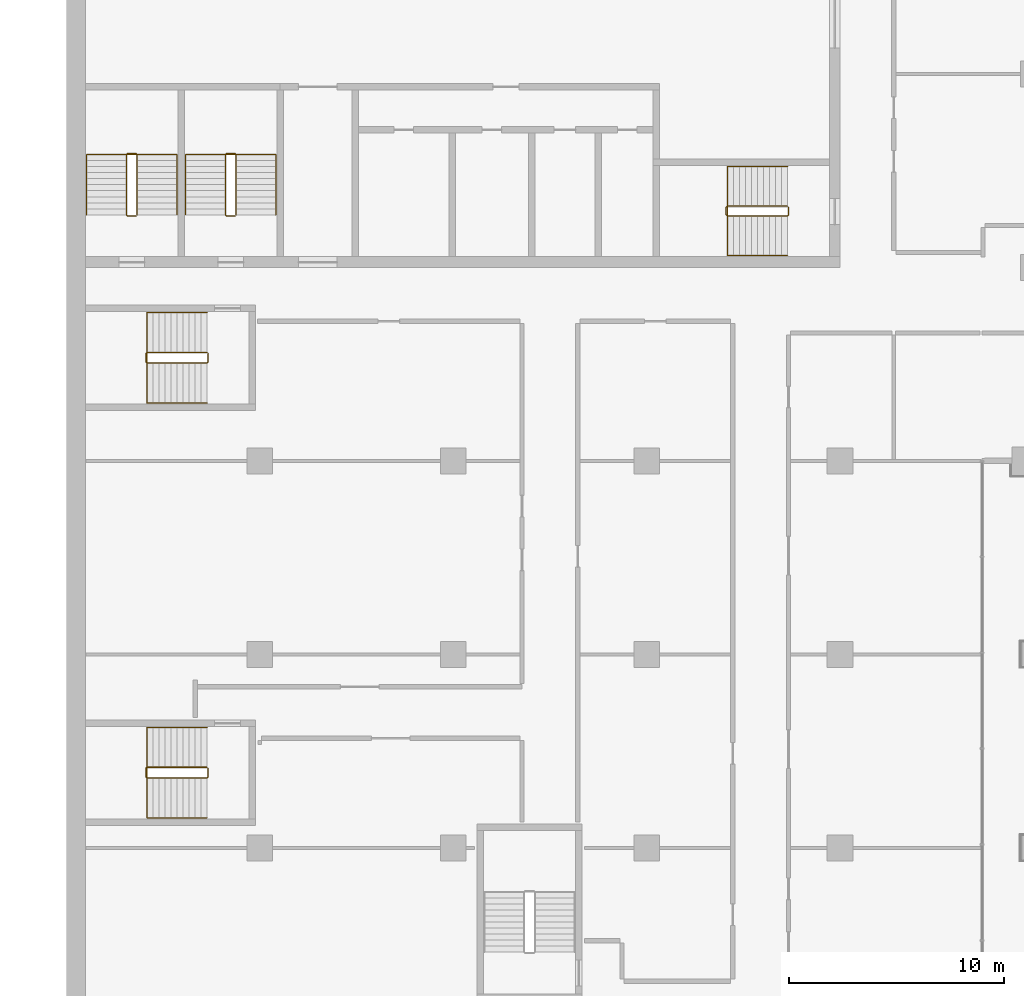
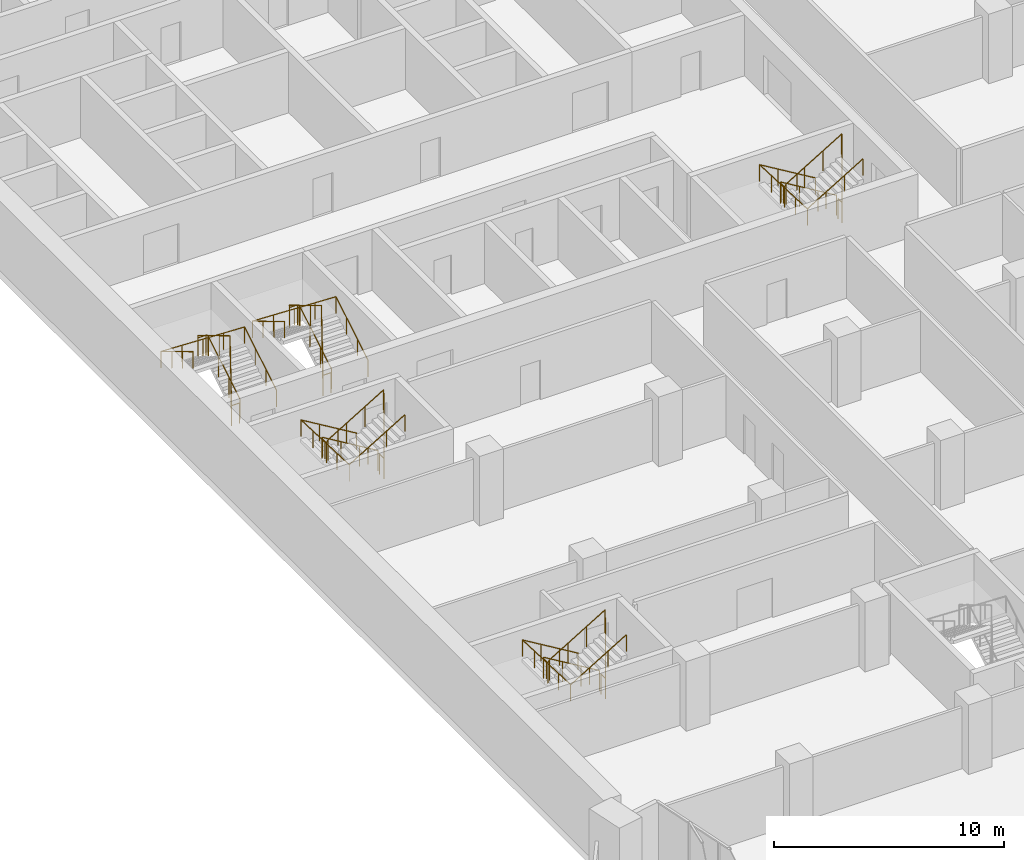
# One storey, part 20 of 22: 10 railings.
"""IFC4 building model written with IfcOpenShell, lengths in metres."""

import ifcopenshell
import ifcopenshell.guid

model = None  # the IFC model being written
_history = None  # IfcOwnerHistory: only IFC2X3 demands one
_inside = {}  # id of a spatial element -> (the spatial element, [elements in it])
_under = {}  # id of a project, library or spatial element -> (it, [spatial elements below it])
_declared = {}  # id of a project -> (the project, [libraries it declares])
_typed = {}  # id of a type object -> (the type object, [elements of that type])
_made_of = {}  # id of a material, layer set ... -> (it, [elements and type objects made of it])


def new_model(schema):
    """Start an empty IFC model of exactly this schema.

    Asked for "IFC4X3", IfcOpenShell would pick the latest addendum, in which some entities
    have other attributes; the version numbers below select the first issue.
    IFC2X3 requires an IfcOwnerHistory on every rooted entity: one is made here for all.
    """
    global model, _history
    if schema == "IFC4X3":
        model = ifcopenshell.file(schema_version=(4, 3, 0, 0))
    else:
        model = ifcopenshell.file(schema=schema)
    _inside.clear()
    _under.clear()
    _declared.clear()
    _typed.clear()
    _made_of.clear()
    _history = None
    if model.schema == "IFC2X3":
        org = make("IfcOrganization", Name="unknown")
        user = make(
            "IfcPersonAndOrganization",
            ThePerson=make("IfcPerson", FamilyName="unknown"),
            TheOrganization=org,
        )
        app = make(
            "IfcApplication",
            ApplicationDeveloper=org,
            Version="unknown",
            ApplicationFullName="unknown",
            ApplicationIdentifier="unknown",
        )
        _history = make(
            "IfcOwnerHistory",
            OwningUser=user,
            OwningApplication=app,
            ChangeAction="ADDED",
            CreationDate=0,
        )
    return model


def make(cls, **values):
    """One entity of the class cls with the attributes given. An attribute that is None is left unset."""
    return model.create_entity(
        cls, **{name: value for name, value in values.items() if value is not None}
    )


def rooted(cls, **values):
    """An entity with a GlobalId (a new one), such as an element, a storey or a relation."""
    return make(cls, GlobalId=ifcopenshell.guid.new(), OwnerHistory=_history, **values)


def si_unit(unit_type, name, prefix=None):
    """IfcSIUnit, for example si_unit("LENGTHUNIT", "METRE", prefix="MILLI")."""
    return make("IfcSIUnit", UnitType=unit_type, Prefix=prefix, Name=name)


def assignment(units):
    """IfcUnitAssignment: the units of a project."""
    return None if units is None else make("IfcUnitAssignment", Units=units)


def point(xyz):
    """IfcCartesianPoint."""
    return None if xyz is None else make("IfcCartesianPoint", Coordinates=xyz)


def direction(xyz):
    """IfcDirection."""
    return None if xyz is None else make("IfcDirection", DirectionRatios=xyz)


def frame(location, z_axis=None, x_axis=None):
    """IfcAxis2Placement3D, a coordinate frame: its origin and axes. An axis left out is left unset."""
    return make(
        "IfcAxis2Placement3D",
        Location=point(location),
        Axis=direction(z_axis),
        RefDirection=direction(x_axis),
    )


def frame_2d(location, x_axis=None):
    """IfcAxis2Placement2D, a coordinate frame in the plane: its origin and x axis."""
    return make(
        "IfcAxis2Placement2D", Location=point(location), RefDirection=direction(x_axis)
    )


def origin():
    """The frame at (0, 0, 0) with its axes left unset."""
    return frame((0.0, 0.0, 0.0))


def origin_2d():
    """The frame at (0, 0) in the plane with its x axis left unset."""
    return frame_2d((0.0, 0.0))


def place(relative_to, where):
    """IfcLocalPlacement: puts the frame where relative to a parent placement (None: the world)."""
    return make(
        "IfcLocalPlacement", PlacementRelTo=relative_to, RelativePlacement=where
    )


def context(
    kind, dimensions, precision=None, world=None, true_north=None, identifier=None
):
    """IfcGeometricRepresentationContext, for example the 3D "Model" context."""
    return make(
        "IfcGeometricRepresentationContext",
        ContextIdentifier=identifier,
        ContextType=kind,
        CoordinateSpaceDimension=dimensions,
        Precision=precision,
        WorldCoordinateSystem=world,
        TrueNorth=true_north,
    )


def subcontext(parent, identifier, kind, view, scale=None):
    """IfcGeometricRepresentationSubContext, for example "Body" below "Model"."""
    return make(
        "IfcGeometricRepresentationSubContext",
        ContextIdentifier=identifier,
        ContextType=kind,
        ParentContext=parent,
        TargetScale=scale,
        TargetView=view,
    )


def project(units=None, contexts=None):
    """IfcProject with its units and contexts."""
    return rooted(
        "IfcProject",
        Name="project",
        RepresentationContexts=contexts,
        UnitsInContext=assignment(units),
    )


def spatial(cls, under=None, at=None, **own):
    """A site, building, storey or space (cls), placed at a placement, below another one or the project."""
    s = rooted(cls, ObjectPlacement=at, **own)
    if under is not None:
        _under.setdefault(under.id(), (under, []))[1].append(s)
    return s


def profile(cls, at=None, kind="AREA", **sizes):
    """A parametric profile (cls). Its sizes go by their IFC names, for example OverallWidth=200.0."""
    return make(cls, ProfileType=kind, Position=at, **sizes)


def circle(**sizes):
    """IfcCircleProfileDef."""
    return profile("IfcCircleProfileDef", **sizes)


def extrude(swept, where, along, depth):
    """IfcExtrudedAreaSolid: the profile swept, set in the frame where, extruded along a direction by depth."""
    return make(
        "IfcExtrudedAreaSolid",
        SweptArea=swept,
        Position=where,
        ExtrudedDirection=direction(along),
        Depth=depth,
    )


def shape(context_of_items, identifier, shape_type, items):
    """IfcShapeRepresentation: the items that make up one representation, for example the "Body"."""
    return make(
        "IfcShapeRepresentation",
        ContextOfItems=context_of_items,
        RepresentationIdentifier=identifier,
        RepresentationType=shape_type,
        Items=items,
    )


def material(Name=None, Category=None):
    """IfcMaterial."""
    return make("IfcMaterial", Name=Name, Category=Category)


def made_of(thing, what):
    """Note that an element or type object is made of a material, layer set ...; save() writes the relation."""
    if what is not None:
        _made_of.setdefault(what.id(), (what, []))[1].append(thing)
    return thing


def type_object(cls, material=None, **own):
    """A type object (cls), such as IfcWallType, which elements share."""
    return made_of(rooted(cls, **own), material)


def element(
    cls,
    number,
    at=None,
    inside=None,
    cuts=None,
    type_object=None,
    material=None,
    context=None,
    identifier="Body",
    shape_type=None,
    held_by="IfcProductDefinitionShape",
    body=None,
    shapes=None,
    **own,
):
    """One element of the class cls, such as IfcWall. Its Tag is "e" and its number.

    at: its placement. inside: the storey or other place that contains it. cuts: it is an
    opening in that element (IfcRelVoidsElement). A single representation is given by context,
    identifier, shape_type and body (its items); several are given by shapes. held_by: the class
    of the entity that holds the representations. save() writes the other relations.
    """
    e = rooted(cls, Tag="e%d" % number, ObjectPlacement=at, **own)
    if body is not None:
        shapes = [shape(context, identifier, shape_type, body)]
    if shapes is not None:
        e.Representation = make(held_by, Representations=shapes)
    if inside is not None:
        _inside.setdefault(inside.id(), (inside, []))[1].append(e)
    if cuts is not None:
        rooted(
            "IfcRelVoidsElement", RelatingBuildingElement=cuts, RelatedOpeningElement=e
        )
    if type_object is not None:
        _typed.setdefault(type_object.id(), (type_object, []))[1].append(e)
    return made_of(e, material)


def aggregate(whole, parts):
    """IfcRelAggregates: a whole, such as a stair, and the parts it consists of."""
    return rooted("IfcRelAggregates", RelatingObject=whole, RelatedObjects=parts)


def save(model, path):
    """Write the relations noted so far, then the file.

    IfcRelAggregates (storeys below a building ...), IfcRelContainedInSpatialStructure (elements
    in a storey), IfcRelDefinesByType, IfcRelAssociatesMaterial and IfcRelDeclares: one each for
    every whole, place, type object, material and project.
    """
    for whole, parts in _under.values():
        aggregate(whole, parts)
    for where, things in _inside.values():
        rooted(
            "IfcRelContainedInSpatialStructure",
            RelatedElements=things,
            RelatingStructure=where,
        )
    for kind, things in _typed.values():
        rooted("IfcRelDefinesByType", RelatedObjects=things, RelatingType=kind)
    for what, things in _made_of.values():
        rooted("IfcRelAssociatesMaterial", RelatedObjects=things, RelatingMaterial=what)
    for by, libraries in _declared.values():
        rooted("IfcRelDeclares", RelatingContext=by, RelatedDefinitions=libraries)
    model.write(path)


model = new_model("IFC4")

# Units and contexts
model_context = context("Model", 3, precision=1e-05, world=origin(), true_north=direction((0.0, 1.0)))
body_context = subcontext(model_context, "Body", "Model", "MODEL_VIEW")
ifc_project = project(units=[si_unit("LENGTHUNIT", "METRE"), si_unit("AREAUNIT", "SQUARE_METRE"), si_unit("VOLUMEUNIT", "CUBIC_METRE"), si_unit("PLANEANGLEUNIT", "RADIAN"), si_unit("MASSUNIT", "GRAM", prefix="KILO")], contexts=[model_context])

# Site, building, storey
site_placement = place(None, origin())
site = spatial("IfcSite", under=ifc_project, at=site_placement, CompositionType="ELEMENT")
building_placement = place(site_placement, origin())
building = spatial("IfcBuilding", under=site, at=building_placement, Name="Hunhe Ridgeline Campus", CompositionType="ELEMENT")
storey_placement = place(building_placement, frame((0.0, 0.0, 174.5)))
storey = spatial("IfcBuildingStorey", under=building, at=storey_placement, Name="L44", CompositionType="ELEMENT", Elevation=174.5)

# Railings
ifc_material_1 = material(Name="Stainless steel balustrade", Category="steel")
railing_type_1 = type_object("IfcRailingType", Name="Stair guard 1100 stainless", PredefinedType="GUARDRAIL", material=ifc_material_1)
railing_1_placement = place(storey_placement, frame((33.550048828125, 65.85009765625, 0.168212890625)))
element("IfcRailing", 1, at=railing_1_placement, inside=storey, type_object=railing_type_1, Name="L44 stair S2 guard", PredefinedType="GUARDRAIL", context=body_context, shape_type="SweptSolid", body=[
    extrude(circle(Radius=0.02392578125, at=origin_2d()), frame((0.0, 0.0, 1.076171875), z_axis=(-0.857242210791, 0.0, 0.514913383045), x_axis=(0.0, -1.0, 0.0)), (0.0, 0.0, 1.0), 3.266357421875),
    extrude(circle(Radius=0.02392578125, at=origin_2d()), frame((-2.800048828125, 0.0, 2.7578125), z_axis=(-0.707106781187, -0.707106781187, 0.0), x_axis=(0.707106781187, -0.707106781187, 0.0)), (0.0, 0.0, 1.0), 0.07080078125),
    extrude(circle(Radius=0.02392578125, at=origin_2d()), frame((-2.85009765625, -0.050048828125, 2.7578125), z_axis=(0.0, -1.0, 0.0), x_axis=(1.0, 0.0, 0.0)), (0.0, 0.0, 1.0), 0.35009765625),
    extrude(circle(Radius=0.02392578125, at=origin_2d()), frame((-2.85009765625, -0.400146484375, 2.7578125), z_axis=(0.274582412415, -0.274582412415, 0.921525364591), x_axis=(0.707106781187, 0.707106781187, 0.0)), (0.0, 0.0, 1.0), 0.182373046875),
    extrude(circle(Radius=0.02392578125, at=origin_2d()), frame((-2.800048828125, -0.4501953125, 2.92578125), z_axis=(0.857242210791, 0.0, 0.514913383045), x_axis=(0.0, 1.0, 0.0)), (0.0, 0.0, 1.0), 3.266357421875),
    extrude(circle(Radius=0.02392578125, at=origin_2d()), frame((0.0, -0.4501953125, 4.60791015625), z_axis=(0.013524414389, 0.013524414389, -0.999817073484), x_axis=(-0.707106781187, 0.707106781187, 0.0)), (0.0, 0.0, 1.0), 3.70068359375),
    extrude(circle(Radius=0.02392578125, at=origin_2d()), frame((0.050048828125, -0.400146484375, 0.90771484375), z_axis=(0.0, 1.0, 0.0), x_axis=(-1.0, 0.0, 0.0)), (0.0, 0.0, 1.0), 0.35009765625),
    extrude(circle(Radius=0.02099609375, at=origin_2d()), origin(), (0.0, 0.0, 1.0), 1.052001953125),
    extrude(circle(Radius=0.02099609375, at=origin_2d()), frame((-0.933349609375, 0.0, 0.560546875)), (0.0, 0.0, 1.0), 1.052001953125),
    extrude(circle(Radius=0.02099609375, at=origin_2d()), frame((-1.86669921875, 0.0, 1.121337890625)), (0.0, 0.0, 1.0), 1.052001953125),
    extrude(circle(Radius=0.02099609375, at=origin_2d()), frame((-2.800048828125, 0.0, 1.681884765625)), (0.0, 0.0, 1.0), 1.052001953125),
    extrude(circle(Radius=0.02099609375, at=origin_2d()), frame((-2.85009765625, -0.050048828125, 1.681884765625)), (0.0, 0.0, 1.0), 1.052001953125),
    extrude(circle(Radius=0.02099609375, at=origin_2d()), frame((-2.85009765625, -0.400146484375, 1.681884765625)), (0.0, 0.0, 1.0), 1.052001953125),
    extrude(circle(Radius=0.02099609375, at=origin_2d()), frame((-2.800048828125, -0.4501953125, 1.849853515625)), (0.0, 0.0, 1.0), 1.052001953125),
    extrude(circle(Radius=0.02099609375, at=origin_2d()), frame((-1.86669921875, -0.4501953125, 2.410400390625)), (0.0, 0.0, 1.0), 1.052001953125),
    extrude(circle(Radius=0.02099609375, at=origin_2d()), frame((-0.933349609375, -0.4501953125, 2.97119140625)), (0.0, 0.0, 1.0), 1.052001953125),
    extrude(circle(Radius=0.02099609375, at=origin_2d()), frame((0.0, -0.4501953125, 3.53173828125)), (0.0, 0.0, 1.0), 1.052001953125),
    extrude(circle(Radius=0.02099609375, at=origin_2d()), frame((0.012451171875, -0.437744140625, 2.606689453125)), (0.0, 0.0, 1.0), 1.052001953125),
    extrude(circle(Radius=0.02099609375, at=origin_2d()), frame((0.02490234375, -0.42529296875, 1.681640625)), (0.0, 0.0, 1.0), 1.052001953125),
    extrude(circle(Radius=0.02099609375, at=origin_2d()), frame((0.03759765625, -0.41259765625, 0.7568359375)), (0.0, 0.0, 1.0), 1.052001953125),
    extrude(circle(Radius=0.02099609375, at=origin_2d()), frame((0.050048828125, -0.400146484375, -0.168212890625)), (0.0, 0.0, 1.0), 1.052001953125),
    extrude(circle(Radius=0.02099609375, at=origin_2d()), frame((0.050048828125, -0.050048828125, -0.168212890625)), (0.0, 0.0, 1.0), 1.052001953125),
])
railing_2_placement = place(storey_placement, frame((3.300048828125, 65.449951171875, 0.168212890625)))
element("IfcRailing", 2, at=railing_2_placement, inside=storey, type_object=railing_type_1, Name="L44 stair S3 guard", PredefinedType="GUARDRAIL", context=body_context, shape_type="SweptSolid", body=[
    extrude(circle(Radius=0.02392578125, at=origin_2d()), frame((0.0, 0.0, 1.076171875), z_axis=(0.0, 0.857242210791, 0.514913383045), x_axis=(-1.0, 0.0, 0.0)), (0.0, 0.0, 1.0), 3.266357421875),
    extrude(circle(Radius=0.02392578125, at=origin_2d()), frame((0.0, 2.800048828125, 2.7578125), z_axis=(-0.707106781187, 0.707106781187, 0.0), x_axis=(-0.707106781187, -0.707106781187, 0.0)), (0.0, 0.0, 1.0), 0.07080078125),
    extrude(circle(Radius=0.02392578125, at=origin_2d()), frame((-0.050048828125, 2.85009765625, 2.7578125), z_axis=(-1.0, 0.0, 0.0), x_axis=(0.0, -1.0, 0.0)), (0.0, 0.0, 1.0), 0.39990234375),
    extrude(circle(Radius=0.02392578125, at=origin_2d()), frame((-0.449951171875, 2.85009765625, 2.7578125), z_axis=(-0.274582412415, -0.274582412415, 0.921525364591), x_axis=(0.707106781187, -0.707106781187, 0.0)), (0.0, 0.0, 1.0), 0.182373046875),
    extrude(circle(Radius=0.02392578125, at=origin_2d()), frame((-0.5, 2.800048828125, 2.92578125), z_axis=(0.0, -0.857242210791, 0.514913383045), x_axis=(1.0, 0.0, 0.0)), (0.0, 0.0, 1.0), 3.266357421875),
    extrude(circle(Radius=0.02392578125, at=origin_2d()), frame((-0.5, 0.0, 4.60791015625), z_axis=(0.013524414389, -0.013524414389, -0.999817073484), x_axis=(0.707106781187, 0.707106781187, 0.0)), (0.0, 0.0, 1.0), 3.70068359375),
    extrude(circle(Radius=0.02392578125, at=origin_2d()), frame((-0.449951171875, -0.050048828125, 0.90771484375), z_axis=(1.0, 0.0, 0.0), x_axis=(0.0, 1.0, 0.0)), (0.0, 0.0, 1.0), 0.39990234375),
    extrude(circle(Radius=0.02099609375, at=origin_2d()), origin(), (0.0, 0.0, 1.0), 1.052001953125),
    extrude(circle(Radius=0.02099609375, at=origin_2d()), frame((0.0, 0.933349609375, 0.560546875)), (0.0, 0.0, 1.0), 1.052001953125),
    extrude(circle(Radius=0.02099609375, at=origin_2d()), frame((0.0, 1.86669921875, 1.121337890625)), (0.0, 0.0, 1.0), 1.052001953125),
    extrude(circle(Radius=0.02099609375, at=origin_2d()), frame((0.0, 2.800048828125, 1.681884765625)), (0.0, 0.0, 1.0), 1.052001953125),
    extrude(circle(Radius=0.02099609375, at=origin_2d()), frame((-0.050048828125, 2.85009765625, 1.681884765625)), (0.0, 0.0, 1.0), 1.052001953125),
    extrude(circle(Radius=0.02099609375, at=origin_2d()), frame((-0.449951171875, 2.85009765625, 1.681884765625)), (0.0, 0.0, 1.0), 1.052001953125),
    extrude(circle(Radius=0.02099609375, at=origin_2d()), frame((-0.5, 2.800048828125, 1.849853515625)), (0.0, 0.0, 1.0), 1.052001953125),
    extrude(circle(Radius=0.02099609375, at=origin_2d()), frame((-0.5, 1.86669921875, 2.410400390625)), (0.0, 0.0, 1.0), 1.052001953125),
    extrude(circle(Radius=0.02099609375, at=origin_2d()), frame((-0.5, 0.933349609375, 2.97119140625)), (0.0, 0.0, 1.0), 1.052001953125),
    extrude(circle(Radius=0.02099609375, at=origin_2d()), frame((-0.5, 0.0, 3.53173828125)), (0.0, 0.0, 1.0), 1.052001953125),
    extrude(circle(Radius=0.02099609375, at=origin_2d()), frame((-0.487548828125, -0.012451171875, 2.606689453125)), (0.0, 0.0, 1.0), 1.052001953125),
    extrude(circle(Radius=0.02099609375, at=origin_2d()), frame((-0.47509765625, -0.02490234375, 1.681640625)), (0.0, 0.0, 1.0), 1.052001953125),
    extrude(circle(Radius=0.02099609375, at=origin_2d()), frame((-0.46240234375, -0.03759765625, 0.7568359375)), (0.0, 0.0, 1.0), 1.052001953125),
    extrude(circle(Radius=0.02099609375, at=origin_2d()), frame((-0.449951171875, -0.050048828125, -0.168212890625)), (0.0, 0.0, 1.0), 1.052001953125),
    extrude(circle(Radius=0.02099609375, at=origin_2d()), frame((-0.050048828125, -0.050048828125, -0.168212890625)), (0.0, 0.0, 1.0), 1.052001953125),
])
railing_3_placement = place(storey_placement, frame((7.89990234375, 65.449951171875, 0.168212890625)))
element("IfcRailing", 3, at=railing_3_placement, inside=storey, type_object=railing_type_1, Name="L44 stair S4 guard", PredefinedType="GUARDRAIL", context=body_context, shape_type="SweptSolid", body=[
    extrude(circle(Radius=0.02392578125, at=origin_2d()), frame((0.0, 0.0, 1.076171875), z_axis=(0.0, 0.857242210791, 0.514913383045), x_axis=(-1.0, 0.0, 0.0)), (0.0, 0.0, 1.0), 3.266357421875),
    extrude(circle(Radius=0.02392578125, at=origin_2d()), frame((0.0, 2.800048828125, 2.7578125), z_axis=(-0.705375805398, 0.708833529934, 0.0), x_axis=(-0.708833529934, -0.705375805398, 0.0)), (0.0, 0.0, 1.0), 0.070556640625),
    extrude(circle(Radius=0.02392578125, at=origin_2d()), frame((-0.0498046875, 2.85009765625, 2.7578125), z_axis=(-1.0, 0.0, 0.0), x_axis=(0.0, -1.0, 0.0)), (0.0, 0.0, 1.0), 0.400146484375),
    extrude(circle(Radius=0.02392578125, at=origin_2d()), frame((-0.449951171875, 2.85009765625, 2.7578125), z_axis=(-0.274582412415, -0.274582412415, 0.921525364591), x_axis=(0.707106781187, -0.707106781187, 0.0)), (0.0, 0.0, 1.0), 0.182373046875),
    extrude(circle(Radius=0.02392578125, at=origin_2d()), frame((-0.5, 2.800048828125, 2.92578125), z_axis=(0.0, -0.857242210791, 0.514913383045), x_axis=(1.0, 0.0, 0.0)), (0.0, 0.0, 1.0), 3.266357421875),
    extrude(circle(Radius=0.02392578125, at=origin_2d()), frame((-0.5, 0.0, 4.60791015625), z_axis=(0.013524414389, -0.013524414389, -0.999817073484), x_axis=(0.707106781187, 0.707106781187, 0.0)), (0.0, 0.0, 1.0), 3.70068359375),
    extrude(circle(Radius=0.02392578125, at=origin_2d()), frame((-0.449951171875, -0.050048828125, 0.90771484375), z_axis=(1.0, 0.0, 0.0), x_axis=(0.0, 1.0, 0.0)), (0.0, 0.0, 1.0), 0.400146484375),
    extrude(circle(Radius=0.02099609375, at=origin_2d()), origin(), (0.0, 0.0, 1.0), 1.052001953125),
    extrude(circle(Radius=0.02099609375, at=origin_2d()), frame((0.0, 0.933349609375, 0.560546875)), (0.0, 0.0, 1.0), 1.052001953125),
    extrude(circle(Radius=0.02099609375, at=origin_2d()), frame((0.0, 1.86669921875, 1.121337890625)), (0.0, 0.0, 1.0), 1.052001953125),
    extrude(circle(Radius=0.02099609375, at=origin_2d()), frame((0.0, 2.800048828125, 1.681884765625)), (0.0, 0.0, 1.0), 1.052001953125),
    extrude(circle(Radius=0.02099609375, at=origin_2d()), frame((-0.0498046875, 2.85009765625, 1.681884765625)), (0.0, 0.0, 1.0), 1.052001953125),
    extrude(circle(Radius=0.02099609375, at=origin_2d()), frame((-0.449951171875, 2.85009765625, 1.681884765625)), (0.0, 0.0, 1.0), 1.052001953125),
    extrude(circle(Radius=0.02099609375, at=origin_2d()), frame((-0.5, 2.800048828125, 1.849853515625)), (0.0, 0.0, 1.0), 1.052001953125),
    extrude(circle(Radius=0.02099609375, at=origin_2d()), frame((-0.5, 1.86669921875, 2.410400390625)), (0.0, 0.0, 1.0), 1.052001953125),
    extrude(circle(Radius=0.02099609375, at=origin_2d()), frame((-0.5, 0.933349609375, 2.97119140625)), (0.0, 0.0, 1.0), 1.052001953125),
    extrude(circle(Radius=0.02099609375, at=origin_2d()), frame((-0.5, 0.0, 3.53173828125)), (0.0, 0.0, 1.0), 1.052001953125),
    extrude(circle(Radius=0.02099609375, at=origin_2d()), frame((-0.487548828125, -0.012451171875, 2.606689453125)), (0.0, 0.0, 1.0), 1.052001953125),
    extrude(circle(Radius=0.02099609375, at=origin_2d()), frame((-0.47509765625, -0.02490234375, 1.681640625)), (0.0, 0.0, 1.0), 1.052001953125),
    extrude(circle(Radius=0.02099609375, at=origin_2d()), frame((-0.46240234375, -0.03759765625, 0.7568359375)), (0.0, 0.0, 1.0), 1.052001953125),
    extrude(circle(Radius=0.02099609375, at=origin_2d()), frame((-0.449951171875, -0.050048828125, -0.168212890625)), (0.0, 0.0, 1.0), 1.052001953125),
    extrude(circle(Radius=0.02099609375, at=origin_2d()), frame((-0.0498046875, -0.050048828125, -0.168212890625)), (0.0, 0.0, 1.0), 1.052001953125),
])
railing_4_placement = place(storey_placement, frame((6.550048828125, 39.75, 0.168212890625)))
element("IfcRailing", 4, at=railing_4_placement, inside=storey, type_object=railing_type_1, Name="L44 stair W1 guard", PredefinedType="GUARDRAIL", context=body_context, shape_type="SweptSolid", body=[
    extrude(circle(Radius=0.02392578125, at=origin_2d()), frame((0.0, 0.0, 1.076171875), z_axis=(-0.857242210791, 0.0, 0.514913383045), x_axis=(0.0, -1.0, 0.0)), (0.0, 0.0, 1.0), 3.266357421875),
    extrude(circle(Radius=0.02392578125, at=origin_2d()), frame((-2.800048828125, 0.0, 2.7578125), z_axis=(-0.707106781187, -0.707106781187, 0.0), x_axis=(0.707106781187, -0.707106781187, 0.0)), (0.0, 0.0, 1.0), 0.07080078125),
    extrude(circle(Radius=0.02392578125, at=origin_2d()), frame((-2.85009765625, -0.050048828125, 2.7578125), z_axis=(0.0, -1.0, 0.0), x_axis=(1.0, 0.0, 0.0)), (0.0, 0.0, 1.0), 0.39990234375),
    extrude(circle(Radius=0.02392578125, at=origin_2d()), frame((-2.85009765625, -0.449951171875, 2.7578125), z_axis=(0.274582412415, -0.274582412415, 0.921525364591), x_axis=(0.707106781187, 0.707106781187, 0.0)), (0.0, 0.0, 1.0), 0.182373046875),
    extrude(circle(Radius=0.02392578125, at=origin_2d()), frame((-2.800048828125, -0.5, 2.92578125), z_axis=(0.857242210791, 0.0, 0.514913383045), x_axis=(0.0, 1.0, 0.0)), (0.0, 0.0, 1.0), 3.266357421875),
    extrude(circle(Radius=0.02392578125, at=origin_2d()), frame((0.0, -0.5, 4.60791015625), z_axis=(0.013524414389, 0.013524414389, -0.999817073484), x_axis=(-0.707106781187, 0.707106781187, 0.0)), (0.0, 0.0, 1.0), 3.70068359375),
    extrude(circle(Radius=0.02392578125, at=origin_2d()), frame((0.050048828125, -0.449951171875, 0.90771484375), z_axis=(0.0, 1.0, 0.0), x_axis=(-1.0, 0.0, 0.0)), (0.0, 0.0, 1.0), 0.39990234375),
    extrude(circle(Radius=0.02099609375, at=origin_2d()), origin(), (0.0, 0.0, 1.0), 1.052001953125),
    extrude(circle(Radius=0.02099609375, at=origin_2d()), frame((-0.933349609375, 0.0, 0.560546875)), (0.0, 0.0, 1.0), 1.052001953125),
    extrude(circle(Radius=0.02099609375, at=origin_2d()), frame((-1.86669921875, 0.0, 1.121337890625)), (0.0, 0.0, 1.0), 1.052001953125),
    extrude(circle(Radius=0.02099609375, at=origin_2d()), frame((-2.800048828125, 0.0, 1.681884765625)), (0.0, 0.0, 1.0), 1.052001953125),
    extrude(circle(Radius=0.02099609375, at=origin_2d()), frame((-2.85009765625, -0.050048828125, 1.681884765625)), (0.0, 0.0, 1.0), 1.052001953125),
    extrude(circle(Radius=0.02099609375, at=origin_2d()), frame((-2.85009765625, -0.449951171875, 1.681884765625)), (0.0, 0.0, 1.0), 1.052001953125),
    extrude(circle(Radius=0.02099609375, at=origin_2d()), frame((-2.800048828125, -0.5, 1.849853515625)), (0.0, 0.0, 1.0), 1.052001953125),
    extrude(circle(Radius=0.02099609375, at=origin_2d()), frame((-1.86669921875, -0.5, 2.410400390625)), (0.0, 0.0, 1.0), 1.052001953125),
    extrude(circle(Radius=0.02099609375, at=origin_2d()), frame((-0.933349609375, -0.5, 2.97119140625)), (0.0, 0.0, 1.0), 1.052001953125),
    extrude(circle(Radius=0.02099609375, at=origin_2d()), frame((0.0, -0.5, 3.53173828125)), (0.0, 0.0, 1.0), 1.052001953125),
    extrude(circle(Radius=0.02099609375, at=origin_2d()), frame((0.012451171875, -0.487548828125, 2.606689453125)), (0.0, 0.0, 1.0), 1.052001953125),
    extrude(circle(Radius=0.02099609375, at=origin_2d()), frame((0.02490234375, -0.47509765625, 1.681640625)), (0.0, 0.0, 1.0), 1.052001953125),
    extrude(circle(Radius=0.02099609375, at=origin_2d()), frame((0.03759765625, -0.46240234375, 0.7568359375)), (0.0, 0.0, 1.0), 1.052001953125),
    extrude(circle(Radius=0.02099609375, at=origin_2d()), frame((0.050048828125, -0.449951171875, -0.168212890625)), (0.0, 0.0, 1.0), 1.052001953125),
    extrude(circle(Radius=0.02099609375, at=origin_2d()), frame((0.050048828125, -0.050048828125, -0.168212890625)), (0.0, 0.0, 1.0), 1.052001953125),
])
railing_5_placement = place(storey_placement, frame((6.550048828125, 59.050048828125, 0.168212890625)))
element("IfcRailing", 5, at=railing_5_placement, inside=storey, type_object=railing_type_1, Name="L44 stair W2 guard", PredefinedType="GUARDRAIL", context=body_context, shape_type="SweptSolid", body=[
    extrude(circle(Radius=0.02392578125, at=origin_2d()), frame((0.0, 0.0, 1.076171875), z_axis=(-0.857242210791, 0.0, 0.514913383045), x_axis=(0.0, -1.0, 0.0)), (0.0, 0.0, 1.0), 3.266357421875),
    extrude(circle(Radius=0.02392578125, at=origin_2d()), frame((-2.800048828125, 0.0, 2.7578125), z_axis=(-0.707106781187, -0.707106781187, 0.0), x_axis=(0.707106781187, -0.707106781187, 0.0)), (0.0, 0.0, 1.0), 0.07080078125),
    extrude(circle(Radius=0.02392578125, at=origin_2d()), frame((-2.85009765625, -0.050048828125, 2.7578125), z_axis=(0.0, -1.0, 0.0), x_axis=(1.0, 0.0, 0.0)), (0.0, 0.0, 1.0), 0.39990234375),
    extrude(circle(Radius=0.02392578125, at=origin_2d()), frame((-2.85009765625, -0.449951171875, 2.7578125), z_axis=(0.274582412415, -0.274582412415, 0.921525364591), x_axis=(0.707106781187, 0.707106781187, 0.0)), (0.0, 0.0, 1.0), 0.182373046875),
    extrude(circle(Radius=0.02392578125, at=origin_2d()), frame((-2.800048828125, -0.5, 2.92578125), z_axis=(0.857242210791, 0.0, 0.514913383045), x_axis=(0.0, 1.0, 0.0)), (0.0, 0.0, 1.0), 3.266357421875),
    extrude(circle(Radius=0.02392578125, at=origin_2d()), frame((0.0, -0.5, 4.60791015625), z_axis=(0.013524414389, 0.013524414389, -0.999817073484), x_axis=(-0.707106781187, 0.707106781187, 0.0)), (0.0, 0.0, 1.0), 3.70068359375),
    extrude(circle(Radius=0.02392578125, at=origin_2d()), frame((0.050048828125, -0.449951171875, 0.90771484375), z_axis=(0.0, 1.0, 0.0), x_axis=(-1.0, 0.0, 0.0)), (0.0, 0.0, 1.0), 0.39990234375),
    extrude(circle(Radius=0.02099609375, at=origin_2d()), origin(), (0.0, 0.0, 1.0), 1.052001953125),
    extrude(circle(Radius=0.02099609375, at=origin_2d()), frame((-0.933349609375, 0.0, 0.560546875)), (0.0, 0.0, 1.0), 1.052001953125),
    extrude(circle(Radius=0.02099609375, at=origin_2d()), frame((-1.86669921875, 0.0, 1.121337890625)), (0.0, 0.0, 1.0), 1.052001953125),
    extrude(circle(Radius=0.02099609375, at=origin_2d()), frame((-2.800048828125, 0.0, 1.681884765625)), (0.0, 0.0, 1.0), 1.052001953125),
    extrude(circle(Radius=0.02099609375, at=origin_2d()), frame((-2.85009765625, -0.050048828125, 1.681884765625)), (0.0, 0.0, 1.0), 1.052001953125),
    extrude(circle(Radius=0.02099609375, at=origin_2d()), frame((-2.85009765625, -0.449951171875, 1.681884765625)), (0.0, 0.0, 1.0), 1.052001953125),
    extrude(circle(Radius=0.02099609375, at=origin_2d()), frame((-2.800048828125, -0.5, 1.849853515625)), (0.0, 0.0, 1.0), 1.052001953125),
    extrude(circle(Radius=0.02099609375, at=origin_2d()), frame((-1.86669921875, -0.5, 2.410400390625)), (0.0, 0.0, 1.0), 1.052001953125),
    extrude(circle(Radius=0.02099609375, at=origin_2d()), frame((-0.933349609375, -0.5, 2.97119140625)), (0.0, 0.0, 1.0), 1.052001953125),
    extrude(circle(Radius=0.02099609375, at=origin_2d()), frame((0.0, -0.5, 3.53173828125)), (0.0, 0.0, 1.0), 1.052001953125),
    extrude(circle(Radius=0.02099609375, at=origin_2d()), frame((0.012451171875, -0.487548828125, 2.606689453125)), (0.0, 0.0, 1.0), 1.052001953125),
    extrude(circle(Radius=0.02099609375, at=origin_2d()), frame((0.02490234375, -0.47509765625, 1.681640625)), (0.0, 0.0, 1.0), 1.052001953125),
    extrude(circle(Radius=0.02099609375, at=origin_2d()), frame((0.03759765625, -0.46240234375, 0.7568359375)), (0.0, 0.0, 1.0), 1.052001953125),
    extrude(circle(Radius=0.02099609375, at=origin_2d()), frame((0.050048828125, -0.449951171875, -0.168212890625)), (0.0, 0.0, 1.0), 1.052001953125),
    extrude(circle(Radius=0.02099609375, at=origin_2d()), frame((0.050048828125, -0.050048828125, -0.168212890625)), (0.0, 0.0, 1.0), 1.052001953125),
])
ifc_material_2 = material(Name="Stainless steel handrail", Category="steel")
railing_type_2 = type_object("IfcRailingType", Name="Stair handrail 900 stainless", PredefinedType="HANDRAIL", material=ifc_material_2)
railing_6_placement = place(storey_placement, frame((33.550048828125, 67.699951171875, 0.168212890625)))
element("IfcRailing", 6, at=railing_6_placement, inside=storey, type_object=railing_type_2, Name="L44 stair S2 handrail", PredefinedType="HANDRAIL", context=body_context, shape_type="SweptSolid", body=[
    extrude(circle(Radius=0.02392578125, at=origin_2d()), frame((0.0, 0.0, 0.8759765625), z_axis=(-0.857242210791, 0.0, 0.514913383045), x_axis=(0.0, -1.0, 0.0)), (0.0, 0.0, 1.0), 3.266357421875),
    extrude(circle(Radius=0.02392578125, at=origin_2d()), frame((-2.800048828125, 0.0, 2.5576171875), z_axis=(0.0, -0.999181878101, 0.040442236271), x_axis=(1.0, 0.0, 0.0)), (0.0, 0.0, 1.0), 4.1533203125),
    extrude(circle(Radius=0.02392578125, at=origin_2d()), frame((-2.800048828125, -4.14990234375, 2.7255859375), z_axis=(0.857242210791, 0.0, 0.514913383045), x_axis=(0.0, 1.0, 0.0)), (0.0, 0.0, 1.0), 3.266357421875),
    extrude(circle(Radius=0.02099609375, at=origin_2d()), origin(), (0.0, 0.0, 1.0), 0.851806640625),
    extrude(circle(Radius=0.02099609375, at=origin_2d()), frame((-0.933349609375, 0.0, 0.560546875)), (0.0, 0.0, 1.0), 0.851806640625),
    extrude(circle(Radius=0.02099609375, at=origin_2d()), frame((-1.86669921875, 0.0, 1.121337890625)), (0.0, 0.0, 1.0), 0.851806640625),
    extrude(circle(Radius=0.02099609375, at=origin_2d()), frame((-2.800048828125, 0.0, 1.681884765625)), (0.0, 0.0, 1.0), 0.851806640625),
    extrude(circle(Radius=0.02099609375, at=origin_2d()), frame((-2.800048828125, -1.03759765625, 1.723876953125)), (0.0, 0.0, 1.0), 0.851806640625),
    extrude(circle(Radius=0.02099609375, at=origin_2d()), frame((-2.800048828125, -2.074951171875, 1.765869140625)), (0.0, 0.0, 1.0), 0.851806640625),
    extrude(circle(Radius=0.02099609375, at=origin_2d()), frame((-2.800048828125, -3.1123046875, 1.807861328125)), (0.0, 0.0, 1.0), 0.851806640625),
    extrude(circle(Radius=0.02099609375, at=origin_2d()), frame((-2.800048828125, -4.14990234375, 1.849853515625)), (0.0, 0.0, 1.0), 0.851806640625),
    extrude(circle(Radius=0.02099609375, at=origin_2d()), frame((-1.86669921875, -4.14990234375, 2.410400390625)), (0.0, 0.0, 1.0), 0.851806640625),
    extrude(circle(Radius=0.02099609375, at=origin_2d()), frame((-0.933349609375, -4.14990234375, 2.97119140625)), (0.0, 0.0, 1.0), 0.851806640625),
    extrude(circle(Radius=0.02099609375, at=origin_2d()), frame((0.0, -4.14990234375, 3.53173828125)), (0.0, 0.0, 1.0), 0.851806640625),
])
railing_7_placement = place(storey_placement, frame((5.14990234375, 65.449951171875, 0.168212890625)))
element("IfcRailing", 7, at=railing_7_placement, inside=storey, type_object=railing_type_2, Name="L44 stair S3 handrail", PredefinedType="HANDRAIL", context=body_context, shape_type="SweptSolid", body=[
    extrude(circle(Radius=0.02392578125, at=origin_2d()), frame((0.0, 0.0, 0.8759765625), z_axis=(0.0, 0.857242210791, 0.514913383045), x_axis=(-1.0, 0.0, 0.0)), (0.0, 0.0, 1.0), 3.266357421875),
    extrude(circle(Radius=0.02392578125, at=origin_2d()), frame((0.0, 2.800048828125, 2.5576171875), z_axis=(-0.99920123705, 0.0, 0.039961079526), x_axis=(0.0, -1.0, 0.0)), (0.0, 0.0, 1.0), 4.203369140625),
    extrude(circle(Radius=0.02392578125, at=origin_2d()), frame((-4.199951171875, 2.800048828125, 2.7255859375), z_axis=(0.0, -0.857242210791, 0.514913383045), x_axis=(1.0, 0.0, 0.0)), (0.0, 0.0, 1.0), 3.266357421875),
    extrude(circle(Radius=0.02099609375, at=origin_2d()), origin(), (0.0, 0.0, 1.0), 0.851806640625),
    extrude(circle(Radius=0.02099609375, at=origin_2d()), frame((0.0, 0.933349609375, 0.560546875)), (0.0, 0.0, 1.0), 0.851806640625),
    extrude(circle(Radius=0.02099609375, at=origin_2d()), frame((0.0, 1.86669921875, 1.121337890625)), (0.0, 0.0, 1.0), 0.851806640625),
    extrude(circle(Radius=0.02099609375, at=origin_2d()), frame((0.0, 2.800048828125, 1.681884765625)), (0.0, 0.0, 1.0), 0.851806640625),
    extrude(circle(Radius=0.02099609375, at=origin_2d()), frame((-1.050048828125, 2.800048828125, 1.723876953125)), (0.0, 0.0, 1.0), 0.851806640625),
    extrude(circle(Radius=0.02099609375, at=origin_2d()), frame((-2.10009765625, 2.800048828125, 1.765869140625)), (0.0, 0.0, 1.0), 0.851806640625),
    extrude(circle(Radius=0.02099609375, at=origin_2d()), frame((-3.14990234375, 2.800048828125, 1.807861328125)), (0.0, 0.0, 1.0), 0.851806640625),
    extrude(circle(Radius=0.02099609375, at=origin_2d()), frame((-4.199951171875, 2.800048828125, 1.849853515625)), (0.0, 0.0, 1.0), 0.851806640625),
    extrude(circle(Radius=0.02099609375, at=origin_2d()), frame((-4.199951171875, 1.86669921875, 2.410400390625)), (0.0, 0.0, 1.0), 0.851806640625),
    extrude(circle(Radius=0.02099609375, at=origin_2d()), frame((-4.199951171875, 0.933349609375, 2.97119140625)), (0.0, 0.0, 1.0), 0.851806640625),
    extrude(circle(Radius=0.02099609375, at=origin_2d()), frame((-4.199951171875, 0.0, 3.53173828125)), (0.0, 0.0, 1.0), 0.851806640625),
])
railing_8_placement = place(storey_placement, frame((9.75, 65.449951171875, 0.168212890625)))
element("IfcRailing", 8, at=railing_8_placement, inside=storey, type_object=railing_type_2, Name="L44 stair S4 handrail", PredefinedType="HANDRAIL", context=body_context, shape_type="SweptSolid", body=[
    extrude(circle(Radius=0.02392578125, at=origin_2d()), frame((0.0, 0.0, 0.8759765625), z_axis=(0.0, 0.857242210791, 0.514913383045), x_axis=(-1.0, 0.0, 0.0)), (0.0, 0.0, 1.0), 3.266357421875),
    extrude(circle(Radius=0.02392578125, at=origin_2d()), frame((0.0, 2.800048828125, 2.5576171875), z_axis=(-0.99920123705, 0.0, 0.039961079526), x_axis=(0.0, -1.0, 0.0)), (0.0, 0.0, 1.0), 4.203369140625),
    extrude(circle(Radius=0.02392578125, at=origin_2d()), frame((-4.199951171875, 2.800048828125, 2.7255859375), z_axis=(0.0, -0.857242210791, 0.514913383045), x_axis=(1.0, 0.0, 0.0)), (0.0, 0.0, 1.0), 3.266357421875),
    extrude(circle(Radius=0.02099609375, at=origin_2d()), origin(), (0.0, 0.0, 1.0), 0.851806640625),
    extrude(circle(Radius=0.02099609375, at=origin_2d()), frame((0.0, 0.933349609375, 0.560546875)), (0.0, 0.0, 1.0), 0.851806640625),
    extrude(circle(Radius=0.02099609375, at=origin_2d()), frame((0.0, 1.86669921875, 1.121337890625)), (0.0, 0.0, 1.0), 0.851806640625),
    extrude(circle(Radius=0.02099609375, at=origin_2d()), frame((0.0, 2.800048828125, 1.681884765625)), (0.0, 0.0, 1.0), 0.851806640625),
    extrude(circle(Radius=0.02099609375, at=origin_2d()), frame((-1.050048828125, 2.800048828125, 1.723876953125)), (0.0, 0.0, 1.0), 0.851806640625),
    extrude(circle(Radius=0.02099609375, at=origin_2d()), frame((-2.10009765625, 2.800048828125, 1.765869140625)), (0.0, 0.0, 1.0), 0.851806640625),
    extrude(circle(Radius=0.02099609375, at=origin_2d()), frame((-3.14990234375, 2.800048828125, 1.807861328125)), (0.0, 0.0, 1.0), 0.851806640625),
    extrude(circle(Radius=0.02099609375, at=origin_2d()), frame((-4.199951171875, 2.800048828125, 1.849853515625)), (0.0, 0.0, 1.0), 0.851806640625),
    extrude(circle(Radius=0.02099609375, at=origin_2d()), frame((-4.199951171875, 1.86669921875, 2.410400390625)), (0.0, 0.0, 1.0), 0.851806640625),
    extrude(circle(Radius=0.02099609375, at=origin_2d()), frame((-4.199951171875, 0.933349609375, 2.97119140625)), (0.0, 0.0, 1.0), 0.851806640625),
    extrude(circle(Radius=0.02099609375, at=origin_2d()), frame((-4.199951171875, 0.0, 3.53173828125)), (0.0, 0.0, 1.0), 0.851806640625),
])
railing_9_placement = place(storey_placement, frame((6.550048828125, 41.60009765625, 0.168212890625)))
element("IfcRailing", 9, at=railing_9_placement, inside=storey, type_object=railing_type_2, Name="L44 stair W1 handrail", PredefinedType="HANDRAIL", context=body_context, shape_type="SweptSolid", body=[
    extrude(circle(Radius=0.02392578125, at=origin_2d()), frame((0.0, 0.0, 0.8759765625), z_axis=(-0.857242210791, 0.0, 0.514913383045), x_axis=(0.0, -1.0, 0.0)), (0.0, 0.0, 1.0), 3.266357421875),
    extrude(circle(Radius=0.02392578125, at=origin_2d()), frame((-2.800048828125, 0.0, 2.5576171875), z_axis=(0.0, -0.999201329794, 0.039958760457), x_axis=(1.0, 0.0, 0.0)), (0.0, 0.0, 1.0), 4.20361328125),
    extrude(circle(Radius=0.02392578125, at=origin_2d()), frame((-2.800048828125, -4.2001953125, 2.7255859375), z_axis=(0.857242210791, 0.0, 0.514913383045), x_axis=(0.0, 1.0, 0.0)), (0.0, 0.0, 1.0), 3.266357421875),
    extrude(circle(Radius=0.02099609375, at=origin_2d()), origin(), (0.0, 0.0, 1.0), 0.851806640625),
    extrude(circle(Radius=0.02099609375, at=origin_2d()), frame((-0.933349609375, 0.0, 0.560546875)), (0.0, 0.0, 1.0), 0.851806640625),
    extrude(circle(Radius=0.02099609375, at=origin_2d()), frame((-1.86669921875, 0.0, 1.121337890625)), (0.0, 0.0, 1.0), 0.851806640625),
    extrude(circle(Radius=0.02099609375, at=origin_2d()), frame((-2.800048828125, 0.0, 1.681884765625)), (0.0, 0.0, 1.0), 0.851806640625),
    extrude(circle(Radius=0.02099609375, at=origin_2d()), frame((-2.800048828125, -1.050048828125, 1.723876953125)), (0.0, 0.0, 1.0), 0.851806640625),
    extrude(circle(Radius=0.02099609375, at=origin_2d()), frame((-2.800048828125, -2.10009765625, 1.765869140625)), (0.0, 0.0, 1.0), 0.851806640625),
    extrude(circle(Radius=0.02099609375, at=origin_2d()), frame((-2.800048828125, -3.150146484375, 1.807861328125)), (0.0, 0.0, 1.0), 0.851806640625),
    extrude(circle(Radius=0.02099609375, at=origin_2d()), frame((-2.800048828125, -4.2001953125, 1.849853515625)), (0.0, 0.0, 1.0), 0.851806640625),
    extrude(circle(Radius=0.02099609375, at=origin_2d()), frame((-1.86669921875, -4.2001953125, 2.410400390625)), (0.0, 0.0, 1.0), 0.851806640625),
    extrude(circle(Radius=0.02099609375, at=origin_2d()), frame((-0.933349609375, -4.2001953125, 2.97119140625)), (0.0, 0.0, 1.0), 0.851806640625),
    extrude(circle(Radius=0.02099609375, at=origin_2d()), frame((0.0, -4.2001953125, 3.53173828125)), (0.0, 0.0, 1.0), 0.851806640625),
])
railing_10_placement = place(storey_placement, frame((6.550048828125, 60.89990234375, 0.168212890625)))
element("IfcRailing", 10, at=railing_10_placement, inside=storey, type_object=railing_type_2, Name="L44 stair W2 handrail", PredefinedType="HANDRAIL", context=body_context, shape_type="SweptSolid", body=[
    extrude(circle(Radius=0.02392578125, at=origin_2d()), frame((0.0, 0.0, 0.8759765625), z_axis=(-0.857242210791, 0.0, 0.514913383045), x_axis=(0.0, -1.0, 0.0)), (0.0, 0.0, 1.0), 3.266357421875),
    extrude(circle(Radius=0.02392578125, at=origin_2d()), frame((-2.800048828125, 0.0, 2.5576171875), z_axis=(0.0, -0.99920123705, 0.039961079526), x_axis=(1.0, 0.0, 0.0)), (0.0, 0.0, 1.0), 4.203369140625),
    extrude(circle(Radius=0.02392578125, at=origin_2d()), frame((-2.800048828125, -4.199951171875, 2.7255859375), z_axis=(0.857242210791, 0.0, 0.514913383045), x_axis=(0.0, 1.0, 0.0)), (0.0, 0.0, 1.0), 3.266357421875),
    extrude(circle(Radius=0.02099609375, at=origin_2d()), origin(), (0.0, 0.0, 1.0), 0.851806640625),
    extrude(circle(Radius=0.02099609375, at=origin_2d()), frame((-0.933349609375, 0.0, 0.560546875)), (0.0, 0.0, 1.0), 0.851806640625),
    extrude(circle(Radius=0.02099609375, at=origin_2d()), frame((-1.86669921875, 0.0, 1.121337890625)), (0.0, 0.0, 1.0), 0.851806640625),
    extrude(circle(Radius=0.02099609375, at=origin_2d()), frame((-2.800048828125, 0.0, 1.681884765625)), (0.0, 0.0, 1.0), 0.851806640625),
    extrude(circle(Radius=0.02099609375, at=origin_2d()), frame((-2.800048828125, -1.050048828125, 1.723876953125)), (0.0, 0.0, 1.0), 0.851806640625),
    extrude(circle(Radius=0.02099609375, at=origin_2d()), frame((-2.800048828125, -2.10009765625, 1.765869140625)), (0.0, 0.0, 1.0), 0.851806640625),
    extrude(circle(Radius=0.02099609375, at=origin_2d()), frame((-2.800048828125, -3.14990234375, 1.807861328125)), (0.0, 0.0, 1.0), 0.851806640625),
    extrude(circle(Radius=0.02099609375, at=origin_2d()), frame((-2.800048828125, -4.199951171875, 1.849853515625)), (0.0, 0.0, 1.0), 0.851806640625),
    extrude(circle(Radius=0.02099609375, at=origin_2d()), frame((-1.86669921875, -4.199951171875, 2.410400390625)), (0.0, 0.0, 1.0), 0.851806640625),
    extrude(circle(Radius=0.02099609375, at=origin_2d()), frame((-0.933349609375, -4.199951171875, 2.97119140625)), (0.0, 0.0, 1.0), 0.851806640625),
    extrude(circle(Radius=0.02099609375, at=origin_2d()), frame((0.0, -4.199951171875, 3.53173828125)), (0.0, 0.0, 1.0), 0.851806640625),
])

save(model, "model.ifc")
